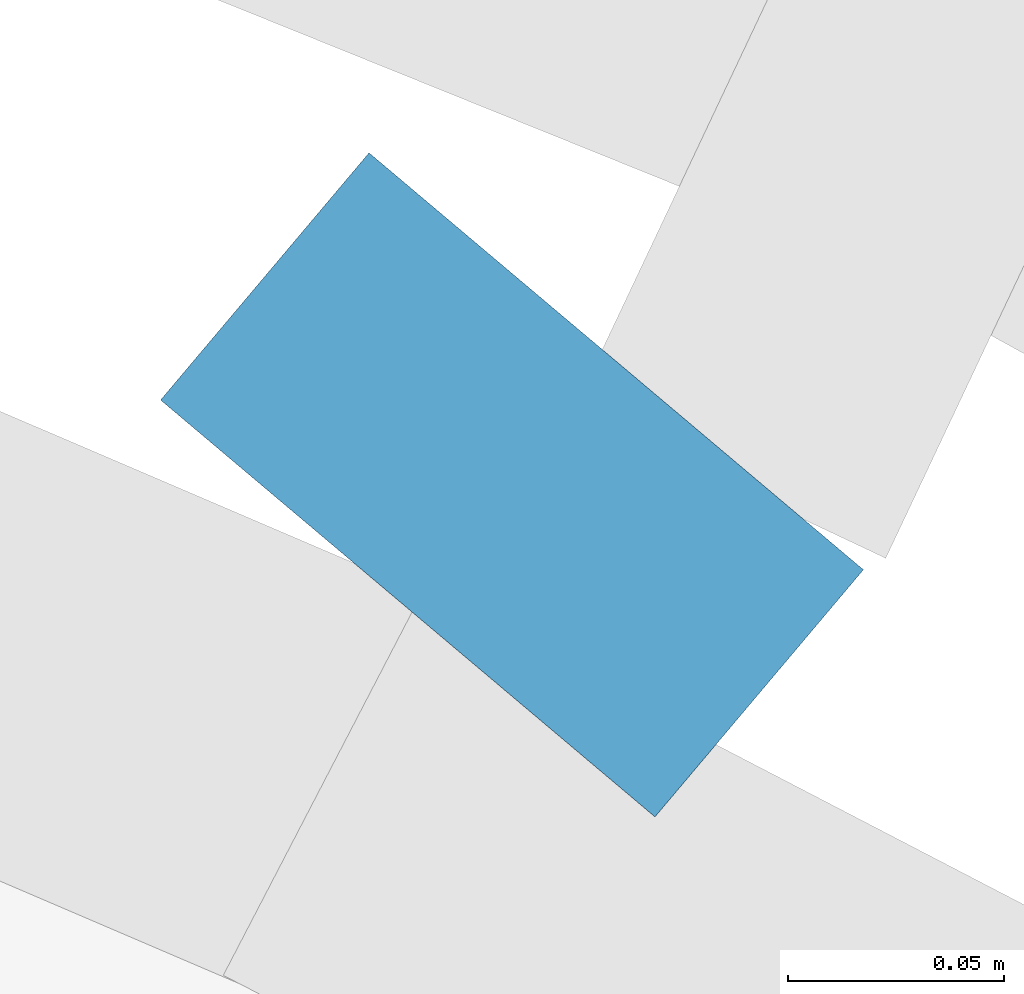
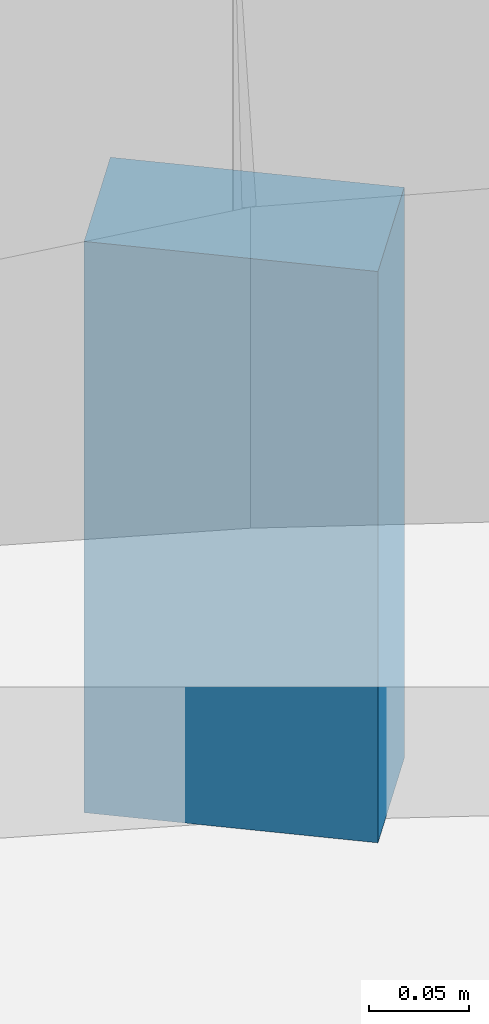
# One storey, part 23 of 28: 1 discrete accessory.
"""IFC4 building model written with IfcOpenShell, lengths in metres."""

from ifc_helpers import new_model, si_unit, direction, frame, origin, origin_2d, place, context, subcontext, project, spatial, rectangle, extrude, material, type_object, element, save


model = new_model("IFC4")

# Units and contexts
model_context = context("Model", 3, precision=1e-05, world=origin(), true_north=direction((0.0, 1.0)))
body_context = subcontext(model_context, "Body", "Model", "MODEL_VIEW")
ifc_project = project(units=[si_unit("LENGTHUNIT", "METRE"), si_unit("AREAUNIT", "SQUARE_METRE"), si_unit("VOLUMEUNIT", "CUBIC_METRE"), si_unit("PLANEANGLEUNIT", "RADIAN"), si_unit("MASSUNIT", "GRAM", prefix="KILO")], contexts=[model_context])

# Site, building, storey
site_placement = place(None, origin())
site = spatial("IfcSite", under=ifc_project, at=site_placement, CompositionType="ELEMENT")
building_placement = place(site_placement, origin())
building = spatial("IfcBuilding", under=site, at=building_placement, Name="Ghaith Harvest Tower", CompositionType="ELEMENT")
storey_placement = place(building_placement, frame((0.0, 0.0, 5.0)))
storey = spatial("IfcBuildingStorey", under=building, at=storey_placement, Name="L01", CompositionType="ELEMENT", Elevation=5.0)

# Discrete accessory
ifc_material = material(Name="Stainless steel grade 1.4401", Category="steel")
discrete_accessory_type = type_object("IfcDiscreteAccessoryType", Name="CURTAIN WALL BRACKET 75", PredefinedType="BRACKET", material=ifc_material)
discrete_accessory_placement = place(storey_placement, frame((21.922119140625, 25.99658203125, -0.25), z_axis=(0.0, 0.0, 1.0), x_axis=(0.644657240203, 0.764471740913, 0.0)))
element("IfcDiscreteAccessory", 1, at=discrete_accessory_placement, inside=storey, type_object=discrete_accessory_type, Name="CW-P bracket 1 bay 04 L01", PredefinedType="BRACKET", context=body_context, shape_type="SweptSolid", body=[
    extrude(rectangle(XDim=0.074951171875, YDim=0.14990234375, at=origin_2d()), origin(), (0.0, 0.0, 1.0), 0.35009765625),
])

save(model, "model.ifc")
